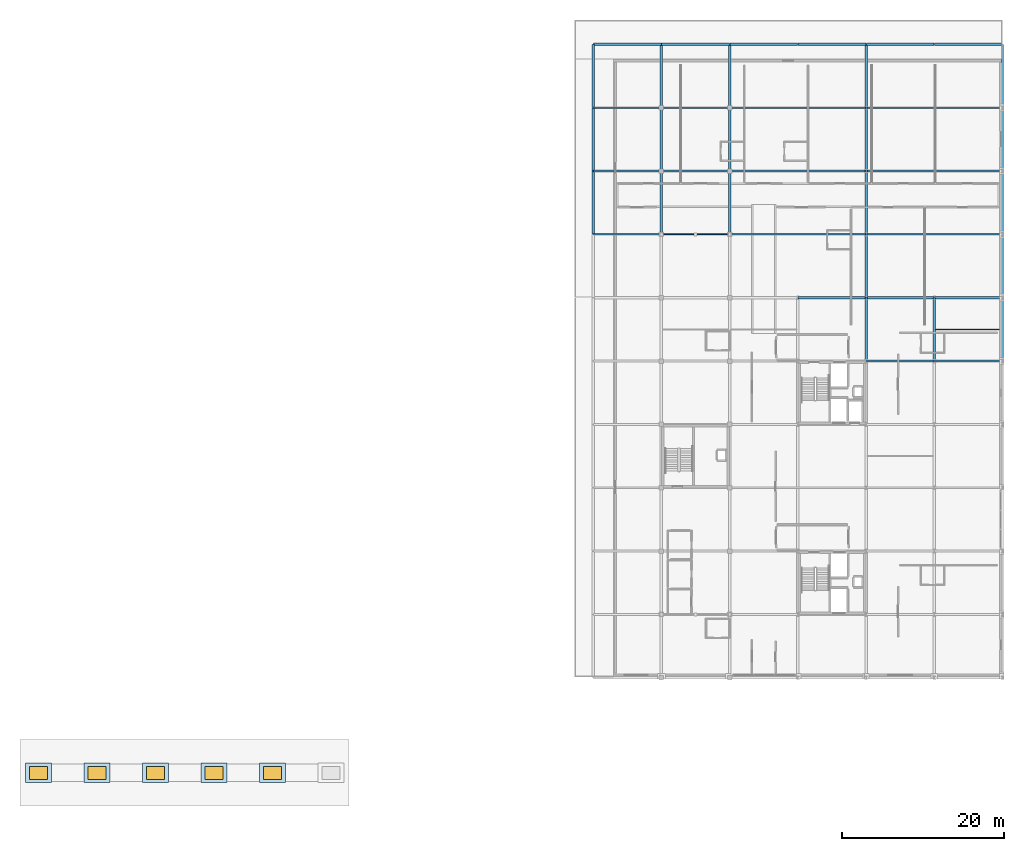
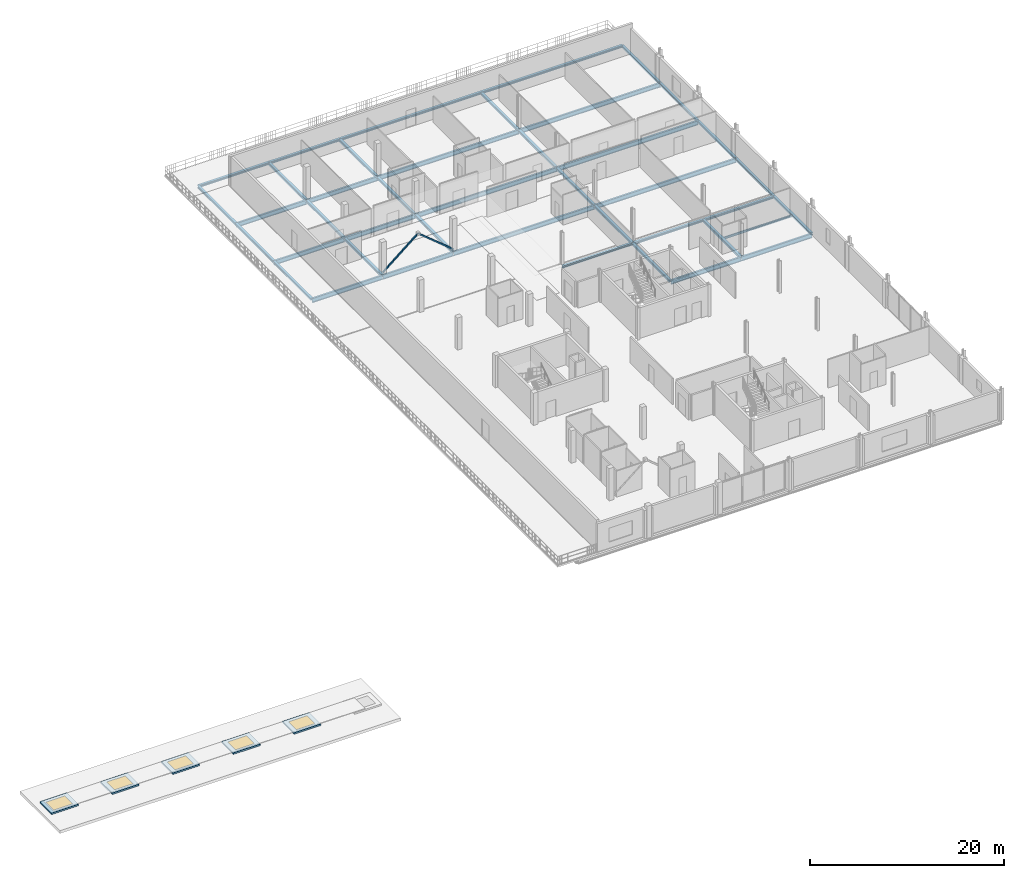
# One storey, part 8 of 20: 44 beams, 5 slabs, 5 windows, 2 members, 5 openings.
"""IFC4 building model written with IfcOpenShell, lengths in metres."""

from ifc_helpers import new_model, si_unit, direction, frame, origin, origin_2d, place, context, subcontext, project, spatial, polyline, rectangle, hollow_rectangle, i_section, outline, extrude, material, layer, layer_set, material_profile, profile_set, type_object, element, fill, save


model = new_model("IFC4")

# Units and contexts
model_context = context("Model", 3, precision=1e-05, world=origin(), true_north=direction((0.0, 1.0)))
body_context = subcontext(model_context, "Body", "Model", "MODEL_VIEW")
ifc_project = project(units=[si_unit("LENGTHUNIT", "METRE"), si_unit("AREAUNIT", "SQUARE_METRE"), si_unit("VOLUMEUNIT", "CUBIC_METRE"), si_unit("PLANEANGLEUNIT", "RADIAN"), si_unit("MASSUNIT", "GRAM", prefix="KILO")], contexts=[model_context])

# Site, building, storey
site_placement = place(None, origin())
site = spatial("IfcSite", under=ifc_project, at=site_placement, CompositionType="ELEMENT")
building_placement = place(site_placement, origin())
building = spatial("IfcBuilding", under=site, at=building_placement, Name="Nabrawat Pavilion Hospital", CompositionType="ELEMENT")
storey_placement = place(building_placement, frame((0.0, 0.0, 27.0)))
storey = spatial("IfcBuildingStorey", under=building, at=storey_placement, Name="L06", CompositionType="ELEMENT", Elevation=27.0)

# Beams
ifc_material_1 = material(Name="Steel S355", Category="steel")
ifc_material_profile_1 = material_profile(ifc_material_1, i_section(OverallWidth=0.2099609375, OverallDepth=0.550048828125, WebThickness=0.010986328125, FlangeThickness=0.01708984375, FilletRadius=0.02392578125, at=origin_2d()), Name="IPE 550")
ifc_profile_set_1 = profile_set([ifc_material_profile_1], Name="Steel S355")
beam_type_1 = type_object("IfcBeamType", Name="Long-Span Floor Girder IPE 550", PredefinedType="USERDEFINED", material=ifc_profile_set_1)
beam_1_placement = place(storey_placement, frame((176.419921875, 78.0, -0.5048828125), z_axis=(1.0, 0.0, 0.0), x_axis=(0.0, 1.0, 0.0)))
element("IfcBeam", 1, at=beam_1_placement, inside=storey, type_object=beam_type_1, Name="L06 Primary X Girder 2151", ObjectType="GIRDER", PredefinedType="USERDEFINED", context=body_context, shape_type="SweptSolid", body=[
    extrude(i_section(OverallWidth=0.2099609375, OverallDepth=0.550048828125, WebThickness=0.010986328125, FlangeThickness=0.01708984375, FilletRadius=0.02392578125, at=origin_2d()), origin(), (0.0, 0.0, 1.0), 8.360107421875),
])
for number, where, z_axis, x_axis, name in (
    (2, (184.820068359375, 78.0, -0.5048828125), (1.0, 0.0, 0.0), (0.0, 1.0, 0.0), "L06 Primary X Girder 2152"),
    (3, (142.820068359375, 93.60009765625, -0.5048828125), (1.0, 0.0, 0.0), (0.0, 1.0, 0.0), "L06 Primary X Girder 2159"),
):
    element("IfcBeam", number, at=place(storey_placement, frame(where, z_axis=z_axis, x_axis=x_axis)), inside=storey, type_object=beam_type_1, Name=name, ObjectType="GIRDER", PredefinedType="USERDEFINED", context=body_context, shape_type="SweptSolid", body=[
        extrude(i_section(OverallWidth=0.2099609375, OverallDepth=0.550048828125, WebThickness=0.010986328125, FlangeThickness=0.01708984375, FilletRadius=0.02392578125, at=origin_2d()), origin(), (0.0, 0.0, 1.0), 8.35986328125),
    ])
beam_2_placement = place(storey_placement, frame((151.219970703125, 93.60009765625, -0.5048828125), z_axis=(1.0, 0.0, 0.0), x_axis=(0.0, 1.0, 0.0)))
element("IfcBeam", 4, at=beam_2_placement, inside=storey, type_object=beam_type_1, Name="L06 Primary X Girder 2160", ObjectType="GIRDER", PredefinedType="USERDEFINED", context=body_context, shape_type="SweptSolid", body=[
    extrude(i_section(OverallWidth=0.2099609375, OverallDepth=0.550048828125, WebThickness=0.010986328125, FlangeThickness=0.01708984375, FilletRadius=0.02392578125, at=origin_2d()), origin(), (0.0, 0.0, 1.0), 8.360107421875),
])
beam_3_placement = place(storey_placement, frame((159.6201171875, 93.60009765625, -0.5048828125), z_axis=(1.0, 0.0, 0.0), x_axis=(0.0, 1.0, 0.0)))
element("IfcBeam", 5, at=beam_3_placement, inside=storey, type_object=beam_type_1, Name="L06 Primary X Girder 2161", ObjectType="GIRDER", PredefinedType="USERDEFINED", context=body_context, shape_type="SweptSolid", body=[
    extrude(i_section(OverallWidth=0.2099609375, OverallDepth=0.550048828125, WebThickness=0.010986328125, FlangeThickness=0.01708984375, FilletRadius=0.02392578125, at=origin_2d()), origin(), (0.0, 0.0, 1.0), 16.759765625),
])
beam_4_placement = place(storey_placement, frame((176.419921875, 93.60009765625, -0.5048828125), z_axis=(1.0, 0.0, 0.0), x_axis=(0.0, 1.0, 0.0)))
element("IfcBeam", 6, at=beam_4_placement, inside=storey, type_object=beam_type_1, Name="L06 Primary X Girder 2162", ObjectType="GIRDER", PredefinedType="USERDEFINED", context=body_context, shape_type="SweptSolid", body=[
    extrude(i_section(OverallWidth=0.2099609375, OverallDepth=0.550048828125, WebThickness=0.010986328125, FlangeThickness=0.01708984375, FilletRadius=0.02392578125, at=origin_2d()), origin(), (0.0, 0.0, 1.0), 16.760009765625),
])
beam_5_placement = place(storey_placement, frame((142.820068359375, 101.39990234375, -0.5048828125), z_axis=(1.0, 0.0, 0.0), x_axis=(0.0, 1.0, 0.0)))
element("IfcBeam", 7, at=beam_5_placement, inside=storey, type_object=beam_type_1, Name="L06 Primary X Girder 2163", ObjectType="GIRDER", PredefinedType="USERDEFINED", context=body_context, shape_type="SweptSolid", body=[
    extrude(i_section(OverallWidth=0.2099609375, OverallDepth=0.550048828125, WebThickness=0.010986328125, FlangeThickness=0.01708984375, FilletRadius=0.02392578125, at=origin_2d()), origin(), (0.0, 0.0, 1.0), 8.35986328125),
])
beam_6_placement = place(storey_placement, frame((151.219970703125, 101.39990234375, -0.5048828125), z_axis=(1.0, 0.0, 0.0), x_axis=(0.0, 1.0, 0.0)))
element("IfcBeam", 8, at=beam_6_placement, inside=storey, type_object=beam_type_1, Name="L06 Primary X Girder 2164", ObjectType="GIRDER", PredefinedType="USERDEFINED", context=body_context, shape_type="SweptSolid", body=[
    extrude(i_section(OverallWidth=0.2099609375, OverallDepth=0.550048828125, WebThickness=0.010986328125, FlangeThickness=0.01708984375, FilletRadius=0.02392578125, at=origin_2d()), origin(), (0.0, 0.0, 1.0), 8.360107421875),
])
beam_7_placement = place(storey_placement, frame((159.6201171875, 101.39990234375, -0.5048828125), z_axis=(1.0, 0.0, 0.0), x_axis=(0.0, 1.0, 0.0)))
element("IfcBeam", 9, at=beam_7_placement, inside=storey, type_object=beam_type_1, Name="L06 Primary X Girder 2165", ObjectType="GIRDER", PredefinedType="USERDEFINED", context=body_context, shape_type="SweptSolid", body=[
    extrude(i_section(OverallWidth=0.2099609375, OverallDepth=0.550048828125, WebThickness=0.010986328125, FlangeThickness=0.01708984375, FilletRadius=0.02392578125, at=origin_2d()), origin(), (0.0, 0.0, 1.0), 16.759765625),
])
beam_8_placement = place(storey_placement, frame((176.419921875, 101.39990234375, -0.5048828125), z_axis=(1.0, 0.0, 0.0), x_axis=(0.0, 1.0, 0.0)))
element("IfcBeam", 10, at=beam_8_placement, inside=storey, type_object=beam_type_1, Name="L06 Primary X Girder 2166", ObjectType="GIRDER", PredefinedType="USERDEFINED", context=body_context, shape_type="SweptSolid", body=[
    extrude(i_section(OverallWidth=0.2099609375, OverallDepth=0.550048828125, WebThickness=0.010986328125, FlangeThickness=0.01708984375, FilletRadius=0.02392578125, at=origin_2d()), origin(), (0.0, 0.0, 1.0), 16.760009765625),
])
beam_9_placement = place(storey_placement, frame((142.820068359375, 109.199951171875, -0.5048828125), z_axis=(1.0, 0.0, 0.0), x_axis=(0.0, 1.0, 0.0)))
element("IfcBeam", 11, at=beam_9_placement, inside=storey, type_object=beam_type_1, Name="L06 Primary X Girder 2167", ObjectType="GIRDER", PredefinedType="USERDEFINED", context=body_context, shape_type="SweptSolid", body=[
    extrude(i_section(OverallWidth=0.2099609375, OverallDepth=0.550048828125, WebThickness=0.010986328125, FlangeThickness=0.01708984375, FilletRadius=0.02392578125, at=origin_2d()), origin(), (0.0, 0.0, 1.0), 8.35986328125),
])
beam_10_placement = place(storey_placement, frame((151.219970703125, 109.199951171875, -0.5048828125), z_axis=(1.0, 0.0, 0.0), x_axis=(0.0, 1.0, 0.0)))
element("IfcBeam", 12, at=beam_10_placement, inside=storey, type_object=beam_type_1, Name="L06 Primary X Girder 2168", ObjectType="GIRDER", PredefinedType="USERDEFINED", context=body_context, shape_type="SweptSolid", body=[
    extrude(i_section(OverallWidth=0.2099609375, OverallDepth=0.550048828125, WebThickness=0.010986328125, FlangeThickness=0.01708984375, FilletRadius=0.02392578125, at=origin_2d()), origin(), (0.0, 0.0, 1.0), 8.360107421875),
])
beam_11_placement = place(storey_placement, frame((159.6201171875, 109.199951171875, -0.5048828125), z_axis=(1.0, 0.0, 0.0), x_axis=(0.0, 1.0, 0.0)))
element("IfcBeam", 13, at=beam_11_placement, inside=storey, type_object=beam_type_1, Name="L06 Primary X Girder 2169", ObjectType="GIRDER", PredefinedType="USERDEFINED", context=body_context, shape_type="SweptSolid", body=[
    extrude(i_section(OverallWidth=0.2099609375, OverallDepth=0.550048828125, WebThickness=0.010986328125, FlangeThickness=0.01708984375, FilletRadius=0.02392578125, at=origin_2d()), origin(), (0.0, 0.0, 1.0), 16.759765625),
])
beam_12_placement = place(storey_placement, frame((176.419921875, 109.199951171875, -0.5048828125), z_axis=(1.0, 0.0, 0.0), x_axis=(0.0, 1.0, 0.0)))
element("IfcBeam", 14, at=beam_12_placement, inside=storey, type_object=beam_type_1, Name="L06 Primary X Girder 2170", ObjectType="GIRDER", PredefinedType="USERDEFINED", context=body_context, shape_type="SweptSolid", body=[
    extrude(i_section(OverallWidth=0.2099609375, OverallDepth=0.550048828125, WebThickness=0.010986328125, FlangeThickness=0.01708984375, FilletRadius=0.02392578125, at=origin_2d()), origin(), (0.0, 0.0, 1.0), 16.760009765625),
])

# Members
ifc_material_profile_2 = material_profile(ifc_material_1, hollow_rectangle(XDim=0.14990234375, YDim=0.14990234375, WallThickness=0.010009765625, at=origin_2d()), Name="SHS 150x150x10")
ifc_profile_set_2 = profile_set([ifc_material_profile_2], Name="Steel S355")
member_type = type_object("IfcMemberType", Name="Top Ward Chevron Brace SHS 150x150x10", PredefinedType="BRACE", material=ifc_profile_set_2)
for number, where, z_axis, x_axis, name in (
    (15, (151.199951171875, 93.60009765625, 0.050048828125), (0.772727041362, 0.0, 0.63473846547), (0.0, 1.0, 0.0), "L06 Seismic Concentric Chevron Brace 079"),
    (16, (159.60009765625, 93.60009765625, 0.050048828125), (-0.772745137627, 0.0, 0.634716434539), (0.0, -1.0, 0.0), "L06 Seismic Concentric Chevron Brace 080"),
):
    element("IfcMember", number, at=place(storey_placement, frame(where, z_axis=z_axis, x_axis=x_axis)), inside=storey, type_object=member_type, Name=name, PredefinedType="BRACE", context=body_context, shape_type="SweptSolid", body=[
        extrude(hollow_rectangle(XDim=0.14990234375, YDim=0.14990234375, WallThickness=0.010009765625, at=origin_2d()), origin(), (0.0, 0.0, 1.0), 5.435302734375),
    ])

# Beams
ifc_material_profile_3 = material_profile(ifc_material_1, i_section(OverallWidth=0.280029296875, OverallDepth=0.280029296875, WebThickness=0.010498046875, FlangeThickness=0.01806640625, FilletRadius=0.02392578125, at=origin_2d()), Name="HEB 280")
ifc_profile_set_3 = profile_set([ifc_material_profile_3], Name="Steel S355")
beam_type_2 = type_object("IfcBeamType", Name="Upper Terrace Edge Spandrel HEB 280", PredefinedType="SPANDREL", material=ifc_profile_set_3)
beam_13_placement = place(storey_placement, frame((168.02001953125, 85.800048828125, -0.3701171875), z_axis=(1.0, 0.0, 0.0), x_axis=(0.0, 1.0, 0.0)))
element("IfcBeam", 17, at=beam_13_placement, inside=storey, type_object=beam_type_2, Name="L06 Primary X Girder 2156", PredefinedType="SPANDREL", context=body_context, shape_type="SweptSolid", body=[
    extrude(i_section(OverallWidth=0.280029296875, OverallDepth=0.280029296875, WebThickness=0.010498046875, FlangeThickness=0.01806640625, FilletRadius=0.02392578125, at=origin_2d()), origin(), (0.0, 0.0, 1.0), 8.35986328125),
])
beam_14_placement = place(storey_placement, frame((176.419921875, 85.800048828125, -0.3701171875), z_axis=(1.0, 0.0, 0.0), x_axis=(0.0, 1.0, 0.0)))
element("IfcBeam", 18, at=beam_14_placement, inside=storey, type_object=beam_type_2, Name="L06 Primary X Girder 2157", PredefinedType="SPANDREL", context=body_context, shape_type="SweptSolid", body=[
    extrude(i_section(OverallWidth=0.280029296875, OverallDepth=0.280029296875, WebThickness=0.010498046875, FlangeThickness=0.01806640625, FilletRadius=0.02392578125, at=origin_2d()), origin(), (0.0, 0.0, 1.0), 8.360107421875),
])
for number, where, z_axis, x_axis, name in (
    (19, (184.820068359375, 85.800048828125, -0.3701171875), (1.0, 0.0, 0.0), (0.0, 1.0, 0.0), "L06 Primary X Girder 2158"),
    (20, (142.820068359375, 117.0, -0.35009765625), (1.0, 0.0, 0.0), (0.0, 1.0, 0.0), "L06 Primary X Girder 2171"),
):
    element("IfcBeam", number, at=place(storey_placement, frame(where, z_axis=z_axis, x_axis=x_axis)), inside=storey, type_object=beam_type_2, Name=name, PredefinedType="SPANDREL", context=body_context, shape_type="SweptSolid", body=[
        extrude(i_section(OverallWidth=0.280029296875, OverallDepth=0.280029296875, WebThickness=0.010498046875, FlangeThickness=0.01806640625, FilletRadius=0.02392578125, at=origin_2d()), origin(), (0.0, 0.0, 1.0), 8.35986328125),
    ])
beam_15_placement = place(storey_placement, frame((151.219970703125, 117.0, -0.35009765625), z_axis=(1.0, 0.0, 0.0), x_axis=(0.0, 1.0, 0.0)))
element("IfcBeam", 21, at=beam_15_placement, inside=storey, type_object=beam_type_2, Name="L06 Primary X Girder 2172", PredefinedType="SPANDREL", context=body_context, shape_type="SweptSolid", body=[
    extrude(i_section(OverallWidth=0.280029296875, OverallDepth=0.280029296875, WebThickness=0.010498046875, FlangeThickness=0.01806640625, FilletRadius=0.02392578125, at=origin_2d()), origin(), (0.0, 0.0, 1.0), 8.360107421875),
])
for number, where, z_axis, x_axis, name in (
    (22, (159.6201171875, 117.0, -0.35009765625), (1.0, 0.0, 0.0), (0.0, 1.0, 0.0), "L06 Primary X Girder 2173"),
    (23, (168.02001953125, 117.0, -0.35009765625), (1.0, 0.0, 0.0), (0.0, 1.0, 0.0), "L06 Primary X Girder 2174"),
):
    element("IfcBeam", number, at=place(storey_placement, frame(where, z_axis=z_axis, x_axis=x_axis)), inside=storey, type_object=beam_type_2, Name=name, PredefinedType="SPANDREL", context=body_context, shape_type="SweptSolid", body=[
        extrude(i_section(OverallWidth=0.280029296875, OverallDepth=0.280029296875, WebThickness=0.010498046875, FlangeThickness=0.01806640625, FilletRadius=0.02392578125, at=origin_2d()), origin(), (0.0, 0.0, 1.0), 8.35986328125),
    ])
beam_16_placement = place(storey_placement, frame((176.419921875, 117.0, -0.35009765625), z_axis=(1.0, 0.0, 0.0), x_axis=(0.0, 1.0, 0.0)))
element("IfcBeam", 24, at=beam_16_placement, inside=storey, type_object=beam_type_2, Name="L06 Primary X Girder 2175", PredefinedType="SPANDREL", context=body_context, shape_type="SweptSolid", body=[
    extrude(i_section(OverallWidth=0.280029296875, OverallDepth=0.280029296875, WebThickness=0.010498046875, FlangeThickness=0.01806640625, FilletRadius=0.02392578125, at=origin_2d()), origin(), (0.0, 0.0, 1.0), 8.360107421875),
])
beam_17_placement = place(storey_placement, frame((184.820068359375, 117.0, -0.35009765625), z_axis=(1.0, 0.0, 0.0), x_axis=(0.0, 1.0, 0.0)))
element("IfcBeam", 25, at=beam_17_placement, inside=storey, type_object=beam_type_2, Name="L06 Primary X Girder 2176", PredefinedType="SPANDREL", context=body_context, shape_type="SweptSolid", body=[
    extrude(i_section(OverallWidth=0.280029296875, OverallDepth=0.280029296875, WebThickness=0.010498046875, FlangeThickness=0.01806640625, FilletRadius=0.02392578125, at=origin_2d()), origin(), (0.0, 0.0, 1.0), 8.35986328125),
])
beam_18_placement = place(storey_placement, frame((142.800048828125, 93.6201171875, -0.35009765625), z_axis=(0.0, 1.0, 0.0), x_axis=(-1.0, 0.0, 0.0)))
element("IfcBeam", 26, at=beam_18_placement, inside=storey, type_object=beam_type_2, Name="L06 Primary Y Beam 2184", PredefinedType="SPANDREL", context=body_context, shape_type="SweptSolid", body=[
    extrude(i_section(OverallWidth=0.280029296875, OverallDepth=0.280029296875, WebThickness=0.010498046875, FlangeThickness=0.01806640625, FilletRadius=0.02392578125, at=origin_2d()), origin(), (0.0, 0.0, 1.0), 7.759765625),
])
for number, where, z_axis, x_axis, name in (
    (27, (142.800048828125, 101.419921875, -0.35009765625), (0.0, 1.0, 0.0), (-1.0, 0.0, 0.0), "L06 Primary Y Beam 2185"),
    (28, (142.800048828125, 109.219970703125, -0.35009765625), (0.0, 1.0, 0.0), (-1.0, 0.0, 0.0), "L06 Primary Y Beam 2186"),
    (29, (193.199951171875, 78.02001953125, -0.3701171875), (0.0, 1.0, 0.0), (-1.0, 0.0, 0.0), "L06 Primary Y Beam 2233"),
    (30, (193.199951171875, 85.820068359375, -0.3701171875), (0.0, 1.0, 0.0), (-1.0, 0.0, 0.0), "L06 Primary Y Beam 2234"),
):
    element("IfcBeam", number, at=place(storey_placement, frame(where, z_axis=z_axis, x_axis=x_axis)), inside=storey, type_object=beam_type_2, Name=name, PredefinedType="SPANDREL", context=body_context, shape_type="SweptSolid", body=[
        extrude(i_section(OverallWidth=0.280029296875, OverallDepth=0.280029296875, WebThickness=0.010498046875, FlangeThickness=0.01806640625, FilletRadius=0.02392578125, at=origin_2d()), origin(), (0.0, 0.0, 1.0), 7.760009765625),
    ])
beam_19_placement = place(storey_placement, frame((193.199951171875, 93.6201171875, -0.3701171875), z_axis=(0.0, 1.0, 0.0), x_axis=(-1.0, 0.0, 0.0)))
element("IfcBeam", 31, at=beam_19_placement, inside=storey, type_object=beam_type_2, Name="L06 Primary Y Beam 2235", PredefinedType="SPANDREL", context=body_context, shape_type="SweptSolid", body=[
    extrude(i_section(OverallWidth=0.280029296875, OverallDepth=0.280029296875, WebThickness=0.010498046875, FlangeThickness=0.01806640625, FilletRadius=0.02392578125, at=origin_2d()), origin(), (0.0, 0.0, 1.0), 7.759765625),
])
for number, where, z_axis, x_axis, name in (
    (32, (193.199951171875, 101.419921875, -0.3701171875), (0.0, 1.0, 0.0), (-1.0, 0.0, 0.0), "L06 Primary Y Beam 2236"),
    (33, (193.199951171875, 109.219970703125, -0.3701171875), (0.0, 1.0, 0.0), (-1.0, 0.0, 0.0), "L06 Primary Y Beam 2237"),
):
    element("IfcBeam", number, at=place(storey_placement, frame(where, z_axis=z_axis, x_axis=x_axis)), inside=storey, type_object=beam_type_2, Name=name, PredefinedType="SPANDREL", context=body_context, shape_type="SweptSolid", body=[
        extrude(i_section(OverallWidth=0.280029296875, OverallDepth=0.280029296875, WebThickness=0.010498046875, FlangeThickness=0.01806640625, FilletRadius=0.02392578125, at=origin_2d()), origin(), (0.0, 0.0, 1.0), 7.760009765625),
    ])
ifc_material_profile_4 = material_profile(ifc_material_1, i_section(OverallWidth=0.135009765625, OverallDepth=0.27001953125, WebThickness=0.006591796875, FlangeThickness=0.01025390625, FilletRadius=0.014892578125, at=origin_2d()), Name="IPE 270")
ifc_profile_set_4 = profile_set([ifc_material_profile_4], Name="Steel S355")
beam_type_3 = type_object("IfcBeamType", Name="Upper Ward Secondary Joist IPE 270", PredefinedType="JOIST", material=ifc_profile_set_4)
beam_20_placement = place(storey_placement, frame((184.925048828125, 81.89990234375, -0.364990234375), z_axis=(1.0, 0.0, 0.0), x_axis=(0.0, 1.0, 0.0)))
element("IfcBeam", 34, at=beam_20_placement, inside=storey, type_object=beam_type_3, Name="L06 Secondary Composite Floor Joist 2241", PredefinedType="JOIST", context=body_context, shape_type="SweptSolid", body=[
    extrude(i_section(OverallWidth=0.135009765625, OverallDepth=0.27001953125, WebThickness=0.006591796875, FlangeThickness=0.01025390625, FilletRadius=0.014892578125, at=origin_2d()), origin(), (0.0, 0.0, 1.0), 8.159912109375),
])
ifc_material_profile_5 = material_profile(ifc_material_1, i_section(OverallWidth=0.300048828125, OverallDepth=0.2900390625, WebThickness=0.008544921875, FlangeThickness=0.013916015625, FilletRadius=0.027099609375, at=origin_2d()), Name="HEA 300")
ifc_profile_set_5 = profile_set([ifc_material_profile_5], Name="Steel S355")
beam_type_4 = type_object("IfcBeamType", Name="Upper Ward Spine Beam HEA 300", PredefinedType="BEAM", material=ifc_profile_set_5)
beam_21_placement = place(storey_placement, frame((151.199951171875, 93.6201171875, -0.375), z_axis=(0.0, 1.0, 0.0), x_axis=(-1.0, 0.0, 0.0)))
element("IfcBeam", 35, at=beam_21_placement, inside=storey, type_object=beam_type_4, Name="L06 Primary Y Beam 2194", PredefinedType="BEAM", context=body_context, shape_type="SweptSolid", body=[
    extrude(i_section(OverallWidth=0.300048828125, OverallDepth=0.2900390625, WebThickness=0.008544921875, FlangeThickness=0.013916015625, FilletRadius=0.027099609375, at=origin_2d()), origin(), (0.0, 0.0, 1.0), 7.759765625),
])
for number, where, z_axis, x_axis, name in (
    (36, (151.199951171875, 101.419921875, -0.375), (0.0, 1.0, 0.0), (-1.0, 0.0, 0.0), "L06 Primary Y Beam 2195"),
    (37, (151.199951171875, 109.219970703125, -0.375), (0.0, 1.0, 0.0), (-1.0, 0.0, 0.0), "L06 Primary Y Beam 2196"),
):
    element("IfcBeam", number, at=place(storey_placement, frame(where, z_axis=z_axis, x_axis=x_axis)), inside=storey, type_object=beam_type_4, Name=name, PredefinedType="BEAM", context=body_context, shape_type="SweptSolid", body=[
        extrude(i_section(OverallWidth=0.300048828125, OverallDepth=0.2900390625, WebThickness=0.008544921875, FlangeThickness=0.013916015625, FilletRadius=0.027099609375, at=origin_2d()), origin(), (0.0, 0.0, 1.0), 7.760009765625),
    ])
beam_22_placement = place(storey_placement, frame((159.60009765625, 93.6201171875, -0.375), z_axis=(0.0, 1.0, 0.0), x_axis=(-1.0, 0.0, 0.0)))
element("IfcBeam", 38, at=beam_22_placement, inside=storey, type_object=beam_type_4, Name="L06 Primary Y Beam 2204", PredefinedType="BEAM", context=body_context, shape_type="SweptSolid", body=[
    extrude(i_section(OverallWidth=0.300048828125, OverallDepth=0.2900390625, WebThickness=0.008544921875, FlangeThickness=0.013916015625, FilletRadius=0.027099609375, at=origin_2d()), origin(), (0.0, 0.0, 1.0), 7.759765625),
])
for number, where, z_axis, x_axis, name in (
    (39, (159.60009765625, 101.419921875, -0.375), (0.0, 1.0, 0.0), (-1.0, 0.0, 0.0), "L06 Primary Y Beam 2205"),
    (40, (159.60009765625, 109.219970703125, -0.375), (0.0, 1.0, 0.0), (-1.0, 0.0, 0.0), "L06 Primary Y Beam 2206"),
    (41, (176.39990234375, 78.02001953125, -0.375), (0.0, 1.0, 0.0), (-1.0, 0.0, 0.0), "L06 Primary Y Beam 2217"),
    (42, (176.39990234375, 85.820068359375, -0.375), (0.0, 1.0, 0.0), (-1.0, 0.0, 0.0), "L06 Primary Y Beam 2218"),
):
    element("IfcBeam", number, at=place(storey_placement, frame(where, z_axis=z_axis, x_axis=x_axis)), inside=storey, type_object=beam_type_4, Name=name, PredefinedType="BEAM", context=body_context, shape_type="SweptSolid", body=[
        extrude(i_section(OverallWidth=0.300048828125, OverallDepth=0.2900390625, WebThickness=0.008544921875, FlangeThickness=0.013916015625, FilletRadius=0.027099609375, at=origin_2d()), origin(), (0.0, 0.0, 1.0), 7.760009765625),
    ])
beam_23_placement = place(storey_placement, frame((176.39990234375, 93.6201171875, -0.375), z_axis=(0.0, 1.0, 0.0), x_axis=(-1.0, 0.0, 0.0)))
element("IfcBeam", 43, at=beam_23_placement, inside=storey, type_object=beam_type_4, Name="L06 Primary Y Beam 2219", PredefinedType="BEAM", context=body_context, shape_type="SweptSolid", body=[
    extrude(i_section(OverallWidth=0.300048828125, OverallDepth=0.2900390625, WebThickness=0.008544921875, FlangeThickness=0.013916015625, FilletRadius=0.027099609375, at=origin_2d()), origin(), (0.0, 0.0, 1.0), 7.759765625),
])
for number, where, z_axis, x_axis, name in (
    (44, (176.39990234375, 101.419921875, -0.375), (0.0, 1.0, 0.0), (-1.0, 0.0, 0.0), "L06 Primary Y Beam 2220"),
    (45, (176.39990234375, 109.219970703125, -0.375), (0.0, 1.0, 0.0), (-1.0, 0.0, 0.0), "L06 Primary Y Beam 2221"),
    (46, (184.800048828125, 78.02001953125, -0.375), (0.0, 1.0, 0.0), (-1.0, 0.0, 0.0), "L06 Primary Y Beam 2227"),
):
    element("IfcBeam", number, at=place(storey_placement, frame(where, z_axis=z_axis, x_axis=x_axis)), inside=storey, type_object=beam_type_4, Name=name, PredefinedType="BEAM", context=body_context, shape_type="SweptSolid", body=[
        extrude(i_section(OverallWidth=0.300048828125, OverallDepth=0.2900390625, WebThickness=0.008544921875, FlangeThickness=0.013916015625, FilletRadius=0.027099609375, at=origin_2d()), origin(), (0.0, 0.0, 1.0), 7.760009765625),
    ])

# Slab, opening, window
ifc_material_2 = material(Name="Concrete C35/45", Category="concrete")
ifc_layer = layer(ifc_material_2, 0.18994140625, Name="Concrete C35/45")
ifc_layer_set = layer_set([ifc_layer], Name="Concrete C35/45")
slab_type = type_object("IfcSlabType", Name="Rooflight Monitor Flat Roof Slab 190", PredefinedType="ROOF", material=ifc_layer_set)
slab_1_placement = place(storey_placement, frame((0.0, 0.0, 0.300048828125)))
slab_1 = element("IfcSlab", 47, at=slab_1_placement, inside=storey, type_object=slab_type, Name="Main Hall Ridge Skylight Curb Slab 01", PredefinedType="ROOF", context=body_context, shape_type="SweptSolid", body=[
    extrude(outline(polyline([(72.89990234375, 26.10009765625), (76.10009765625, 26.10009765625), (76.10009765625, 28.5), (72.89990234375, 28.5), (72.89990234375, 26.10009765625)]), holes=[polyline([(73.39990234375, 26.5), (73.39990234375, 28.10009765625), (75.60009765625, 28.10009765625), (75.60009765625, 26.5), (73.39990234375, 26.5)])]), origin(), (0.0, 0.0, 1.0), 0.18994140625),
])
opening_1_placement = place(slab_1_placement, frame((74.5, 27.300048828125, -0.010009765625)))
opening_1 = element("IfcOpeningElement", 48, at=opening_1_placement, cuts=slab_1, Name="Opening SKY-01", PredefinedType="OPENING", context=body_context, shape_type="SweptSolid", body=[
    extrude(rectangle(XDim=2.199951171875, YDim=1.60009765625, at=origin_2d()), origin(), (0.0, 0.0, 1.0), 0.2099609375),
])
ifc_material_3 = material(Name="Thermally Broken Aluminium and Solar Glass", Category="aluminium")
window_type = type_object("IfcWindowType", Name="Main Hall Ridge Rooflight Unit 2200x1600", PartitioningType="SINGLE_PANEL", PredefinedType="SKYLIGHT", material=ifc_material_3)
window_1_placement = place(opening_1_placement, frame((0.0, 0.0, 0.14990234375)))
window_1 = element("IfcWindow", 49, at=window_1_placement, inside=storey, type_object=window_type, Name="L06 Roof Daylight Skylight 01", OverallHeight=1.60009765625, OverallWidth=2.199951171875, PartitioningType="SINGLE_PANEL", PredefinedType="SKYLIGHT", context=body_context, shape_type="SweptSolid", body=[
    extrude(rectangle(XDim=2.199951171875, YDim=1.60009765625, at=origin_2d()), origin(), (0.0, 0.0, 1.0), 0.050048828125),
])
fill(opening_1, window_1)

slab_2_placement = place(storey_placement, frame((0.0, 0.0, 0.300048828125)))
slab_2 = element("IfcSlab", 50, at=slab_2_placement, inside=storey, type_object=slab_type, Name="Main Hall Ridge Skylight Curb Slab 02", PredefinedType="ROOF", context=body_context, shape_type="SweptSolid", body=[
    extrude(outline(polyline([(80.10009765625, 26.10009765625), (83.300048828125, 26.10009765625), (83.300048828125, 28.5), (80.10009765625, 28.5), (80.10009765625, 26.10009765625)]), holes=[polyline([(80.60009765625, 26.5), (80.60009765625, 28.10009765625), (82.800048828125, 28.10009765625), (82.800048828125, 26.5), (80.60009765625, 26.5)])]), origin(), (0.0, 0.0, 1.0), 0.18994140625),
])
opening_2_placement = place(slab_2_placement, frame((81.699951171875, 27.300048828125, -0.010009765625)))
opening_2 = element("IfcOpeningElement", 51, at=opening_2_placement, cuts=slab_2, Name="Opening SKY-01", PredefinedType="OPENING", context=body_context, shape_type="SweptSolid", body=[
    extrude(rectangle(XDim=2.199951171875, YDim=1.60009765625, at=origin_2d()), origin(), (0.0, 0.0, 1.0), 0.2099609375),
])
window_2_placement = place(opening_2_placement, frame((0.0, 0.0, 0.14990234375)))
window_2 = element("IfcWindow", 52, at=window_2_placement, inside=storey, type_object=window_type, Name="L06 Roof Daylight Skylight 02", OverallHeight=1.60009765625, OverallWidth=2.199951171875, PartitioningType="SINGLE_PANEL", PredefinedType="SKYLIGHT", context=body_context, shape_type="SweptSolid", body=[
    extrude(rectangle(XDim=2.199951171875, YDim=1.60009765625, at=origin_2d()), origin(), (0.0, 0.0, 1.0), 0.050048828125),
])
fill(opening_2, window_2)

slab_3_placement = place(storey_placement, frame((0.0, 0.0, 0.300048828125)))
slab_3 = element("IfcSlab", 53, at=slab_3_placement, inside=storey, type_object=slab_type, Name="Main Hall Ridge Skylight Curb Slab 03", PredefinedType="ROOF", context=body_context, shape_type="SweptSolid", body=[
    extrude(outline(polyline([(87.300048828125, 26.10009765625), (90.5, 26.10009765625), (90.5, 28.5), (87.300048828125, 28.5), (87.300048828125, 26.10009765625)]), holes=[polyline([(87.800048828125, 26.5), (87.800048828125, 28.10009765625), (90.0, 28.10009765625), (90.0, 26.5), (87.800048828125, 26.5)])]), origin(), (0.0, 0.0, 1.0), 0.18994140625),
])
opening_3_placement = place(slab_3_placement, frame((88.89990234375, 27.300048828125, -0.010009765625)))
opening_3 = element("IfcOpeningElement", 54, at=opening_3_placement, cuts=slab_3, Name="Opening SKY-01", PredefinedType="OPENING", context=body_context, shape_type="SweptSolid", body=[
    extrude(rectangle(XDim=2.199951171875, YDim=1.60009765625, at=origin_2d()), origin(), (0.0, 0.0, 1.0), 0.2099609375),
])
window_3_placement = place(opening_3_placement, frame((0.0, 0.0, 0.14990234375)))
window_3 = element("IfcWindow", 55, at=window_3_placement, inside=storey, type_object=window_type, Name="L06 Roof Daylight Skylight 03", OverallHeight=1.60009765625, OverallWidth=2.199951171875, PartitioningType="SINGLE_PANEL", PredefinedType="SKYLIGHT", context=body_context, shape_type="SweptSolid", body=[
    extrude(rectangle(XDim=2.199951171875, YDim=1.60009765625, at=origin_2d()), origin(), (0.0, 0.0, 1.0), 0.050048828125),
])
fill(opening_3, window_3)

slab_4_placement = place(storey_placement, frame((0.0, 0.0, 0.300048828125)))
slab_4 = element("IfcSlab", 56, at=slab_4_placement, inside=storey, type_object=slab_type, Name="Main Hall Ridge Skylight Curb Slab 04", PredefinedType="ROOF", context=body_context, shape_type="SweptSolid", body=[
    extrude(outline(polyline([(94.5, 26.10009765625), (97.699951171875, 26.10009765625), (97.699951171875, 28.5), (94.5, 28.5), (94.5, 26.10009765625)]), holes=[polyline([(95.0, 26.5), (95.0, 28.10009765625), (97.199951171875, 28.10009765625), (97.199951171875, 26.5), (95.0, 26.5)])]), origin(), (0.0, 0.0, 1.0), 0.18994140625),
])
opening_4_placement = place(slab_4_placement, frame((96.10009765625, 27.300048828125, -0.010009765625)))
opening_4 = element("IfcOpeningElement", 57, at=opening_4_placement, cuts=slab_4, Name="Opening SKY-01", PredefinedType="OPENING", context=body_context, shape_type="SweptSolid", body=[
    extrude(rectangle(XDim=2.199951171875, YDim=1.60009765625, at=origin_2d()), origin(), (0.0, 0.0, 1.0), 0.2099609375),
])
window_4_placement = place(opening_4_placement, frame((0.0, 0.0, 0.14990234375)))
window_4 = element("IfcWindow", 58, at=window_4_placement, inside=storey, type_object=window_type, Name="L06 Roof Daylight Skylight 04", OverallHeight=1.60009765625, OverallWidth=2.199951171875, PartitioningType="SINGLE_PANEL", PredefinedType="SKYLIGHT", context=body_context, shape_type="SweptSolid", body=[
    extrude(rectangle(XDim=2.199951171875, YDim=1.60009765625, at=origin_2d()), origin(), (0.0, 0.0, 1.0), 0.050048828125),
])
fill(opening_4, window_4)

slab_5_placement = place(storey_placement, frame((0.0, 0.0, 0.300048828125)))
slab_5 = element("IfcSlab", 59, at=slab_5_placement, inside=storey, type_object=slab_type, Name="Main Hall Ridge Skylight Curb Slab 05", PredefinedType="ROOF", context=body_context, shape_type="SweptSolid", body=[
    extrude(outline(polyline([(101.699951171875, 26.10009765625), (104.89990234375, 26.10009765625), (104.89990234375, 28.5), (101.699951171875, 28.5), (101.699951171875, 26.10009765625)]), holes=[polyline([(102.199951171875, 26.5), (102.199951171875, 28.10009765625), (104.39990234375, 28.10009765625), (104.39990234375, 26.5), (102.199951171875, 26.5)])]), origin(), (0.0, 0.0, 1.0), 0.18994140625),
])
opening_5_placement = place(slab_5_placement, frame((103.300048828125, 27.300048828125, -0.010009765625)))
opening_5 = element("IfcOpeningElement", 60, at=opening_5_placement, cuts=slab_5, Name="Opening SKY-01", PredefinedType="OPENING", context=body_context, shape_type="SweptSolid", body=[
    extrude(rectangle(XDim=2.199951171875, YDim=1.60009765625, at=origin_2d()), origin(), (0.0, 0.0, 1.0), 0.2099609375),
])
window_5_placement = place(opening_5_placement, frame((0.0, 0.0, 0.14990234375)))
window_5 = element("IfcWindow", 61, at=window_5_placement, inside=storey, type_object=window_type, Name="L06 Roof Daylight Skylight 05", OverallHeight=1.60009765625, OverallWidth=2.199951171875, PartitioningType="SINGLE_PANEL", PredefinedType="SKYLIGHT", context=body_context, shape_type="SweptSolid", body=[
    extrude(rectangle(XDim=2.199951171875, YDim=1.60009765625, at=origin_2d()), origin(), (0.0, 0.0, 1.0), 0.050048828125),
])
fill(opening_5, window_5)

save(model, "model.ifc")
